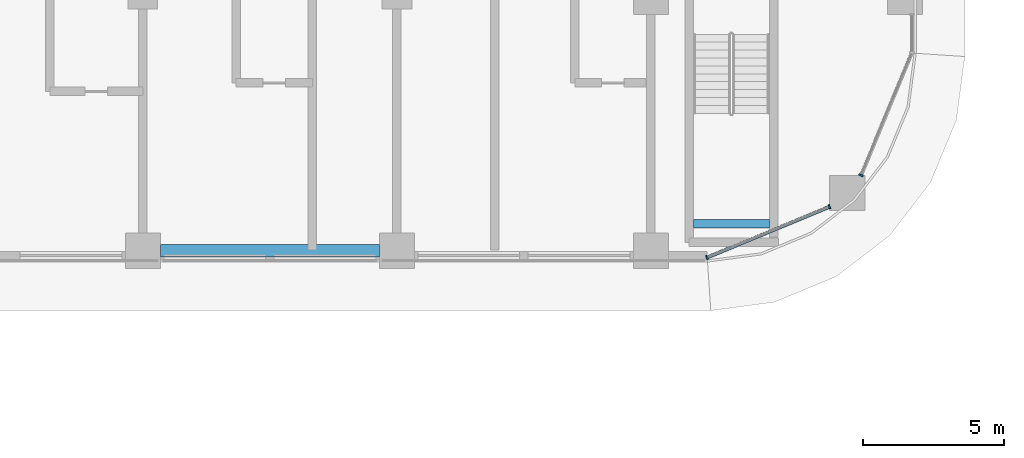
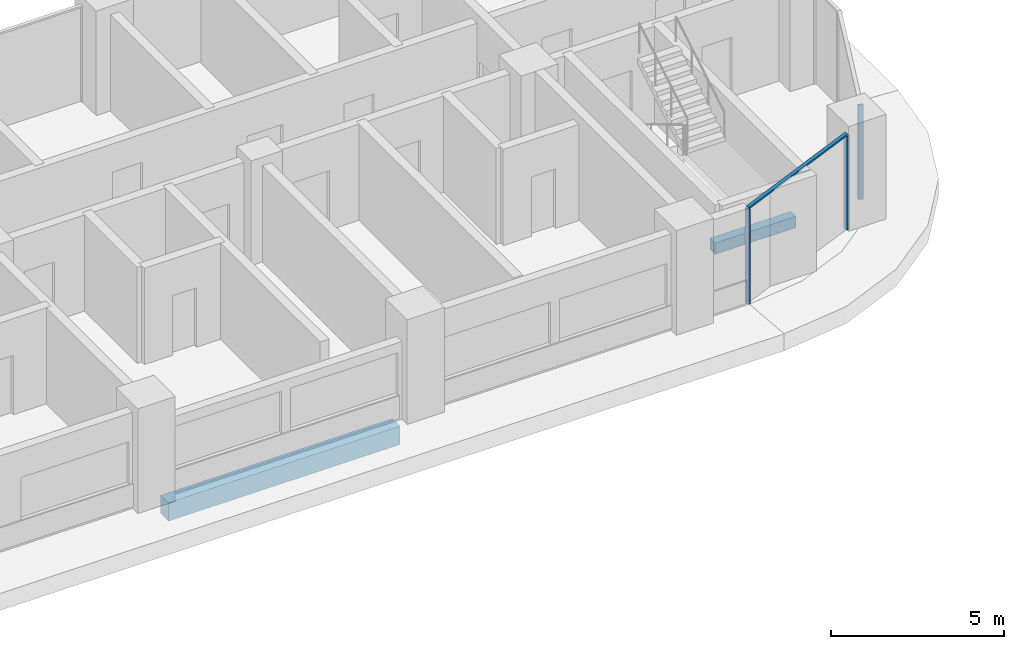
# One storey, part 3 of 33: 4 members, 2 beams, 2 elements without a shape of their own.
"""IFC4 building model written with IfcOpenShell, lengths in metres."""

from ifc_helpers import new_model, si_unit, direction, frame, origin, origin_2d, place, context, subcontext, project, spatial, rectangle, extrude, material, material_profile, profile_set, type_object, element, aggregate, save


model = new_model("IFC4")

# Units and contexts
model_context = context("Model", 3, precision=1e-05, world=origin(), true_north=direction((0.0, 1.0)))
body_context = subcontext(model_context, "Body", "Model", "MODEL_VIEW")
ifc_project = project(units=[si_unit("LENGTHUNIT", "METRE"), si_unit("AREAUNIT", "SQUARE_METRE"), si_unit("VOLUMEUNIT", "CUBIC_METRE"), si_unit("PLANEANGLEUNIT", "RADIAN"), si_unit("MASSUNIT", "GRAM", prefix="KILO")], contexts=[model_context])

# Site, building, storey
site_placement = place(None, origin())
site = spatial("IfcSite", under=ifc_project, at=site_placement, CompositionType="ELEMENT")
building_placement = place(site_placement, origin())
building = spatial("IfcBuilding", under=site, at=building_placement, Name="Ogive Portal Towers", CompositionType="ELEMENT")
storey_placement = place(building_placement, frame((0.0, 0.0, 98.199951171875)))
storey = spatial("IfcBuildingStorey", under=building, at=storey_placement, Name="L23", CompositionType="ELEMENT", Elevation=98.199951171875)

# Beam
ifc_material_1 = material(Name="Concrete C40/50", Category="concrete")
ifc_material_profile_1 = material_profile(ifc_material_1, rectangle(XDim=0.300048828125, YDim=0.39990234375, at=origin_2d()), Name="RC 300x400")
ifc_profile_set_1 = profile_set([ifc_material_profile_1], Name="Concrete C40/50")
beam_type_1 = type_object("IfcBeamType", Name="BEAM RC 300x400", PredefinedType="BEAM", material=ifc_profile_set_1)
beam_1_placement = place(storey_placement, frame((87.0, 22.449951171875, 1.449951171875), z_axis=(1.0, 0.0, 0.0), x_axis=(0.0, 1.0, 0.0)))
element("IfcBeam", 1, at=beam_1_placement, inside=storey, type_object=beam_type_1, Name="Landing beam L23", PredefinedType="BEAM", context=body_context, shape_type="SweptSolid", body=[
    extrude(rectangle(XDim=0.300048828125, YDim=0.39990234375, at=origin_2d()), origin(), (0.0, 0.0, 1.0), 2.699951171875),
])

# Curtain wall, members
ifc_material_2 = material(Name="Glass, clear low-iron insulated glazing", Category="glass")
curtain_wall_type = type_object("IfcCurtainWallType", Name="CW FRONT RIBBON 4500", PredefinedType="NOTDEFINED", material=ifc_material_2)
curtain_wall_1_placement = place(storey_placement, origin())
curtain_wall_1 = element("IfcCurtainWall", 2, at=curtain_wall_1_placement, inside=storey, type_object=curtain_wall_type, Name="A:L23:f21:cwa~0", PredefinedType="NOTDEFINED")
ifc_material_3 = material(Name="Aluminium 6063 anodised", Category="aluminium")
ifc_material_profile_2 = material_profile(ifc_material_3, rectangle(XDim=0.159912109375, YDim=0.06005859375, at=origin_2d()), Name="AL 60x160")
ifc_profile_set_2 = profile_set([ifc_material_profile_2], Name="Aluminium 6063 anodised")
member_type_1 = type_object("IfcMemberType", Name="CW MULLION 60x160", PredefinedType="MULLION", material=ifc_profile_set_2)
member_1_placement = place(storey_placement, frame((87.484130859375, 21.260009765625, 0.0), z_axis=(0.0, 0.0, 1.0), x_axis=(-0.382683432365, 0.923879532511, 0.0)))
member_1 = element("IfcMember", 3, at=member_1_placement, type_object=member_type_1, Name="mullion", PredefinedType="MULLION", context=body_context, shape_type="SweptSolid", body=[
    extrude(rectangle(XDim=0.159912109375, YDim=0.06005859375, at=origin_2d()), origin(), (0.0, 0.0, 1.0), 3.340087890625),
])
member_2_placement = place(storey_placement, frame((91.824951171875, 23.05810546875, 0.0), z_axis=(0.0, 0.0, 1.0), x_axis=(-0.382683432365, 0.923879532511, 0.0)))
member_2 = element("IfcMember", 4, at=member_2_placement, type_object=member_type_1, Name="mullion", PredefinedType="MULLION", context=body_context, shape_type="SweptSolid", body=[
    extrude(rectangle(XDim=0.159912109375, YDim=0.06005859375, at=origin_2d()), origin(), (0.0, 0.0, 1.0), 3.340087890625),
])

# Curtain wall, member
curtain_wall_2_placement = place(storey_placement, origin())
curtain_wall_2 = element("IfcCurtainWall", 5, at=curtain_wall_2_placement, inside=storey, type_object=curtain_wall_type, Name="A:L23:f21:cwa~1", PredefinedType="NOTDEFINED")
member_3_placement = place(storey_placement, frame((92.94189453125, 24.175048828125, 0.0), z_axis=(0.0, 0.0, 1.0), x_axis=(-0.923879532511, 0.382683432365, 0.0)))
member_3 = element("IfcMember", 6, at=member_3_placement, type_object=member_type_1, Name="mullion", PredefinedType="MULLION", context=body_context, shape_type="SweptSolid", body=[
    extrude(rectangle(XDim=0.159912109375, YDim=0.06005859375, at=origin_2d()), origin(), (0.0, 0.0, 1.0), 3.340087890625),
])
aggregate(curtain_wall_2, [member_3])

# Member
ifc_material_profile_3 = material_profile(ifc_material_3, rectangle(XDim=0.1201171875, YDim=0.06005859375, at=origin_2d()), Name="AL 120x60")
ifc_profile_set_3 = profile_set([ifc_material_profile_3], Name="Aluminium 6063 anodised")
member_type_2 = type_object("IfcMemberType", Name="CW TRANSOM 60x120", PredefinedType="USERDEFINED", material=ifc_profile_set_3)
member_4_placement = place(storey_placement, frame((87.484130859375, 21.260009765625, 3.3701171875), z_axis=(0.923874335946, 0.382695977742, 0.0), x_axis=(-0.382695977742, 0.923874335946, 0.0)))
member_4 = element("IfcMember", 7, at=member_4_placement, type_object=member_type_2, Name="transom", ObjectType="TRANSOM", PredefinedType="USERDEFINED", context=body_context, shape_type="SweptSolid", body=[
    extrude(rectangle(XDim=0.1201171875, YDim=0.06005859375, at=origin_2d()), origin(), (0.0, 0.0, 1.0), 4.698486328125),
])

aggregate(curtain_wall_1, [member_4, member_1, member_2])

# Beam
ifc_material_4 = material(Name="Concrete C50/60", Category="concrete")
ifc_material_profile_4 = material_profile(ifc_material_4, rectangle(XDim=0.449951171875, YDim=0.64990234375, at=origin_2d()), Name="RC 450x650")
ifc_profile_set_4 = profile_set([ifc_material_profile_4], Name="Concrete C50/60")
beam_type_2 = type_object("IfcBeamType", Name="SPANDREL BEAM RC 450x650", PredefinedType="BEAM", material=ifc_profile_set_4)
beam_2_placement = place(storey_placement, frame((75.875, 21.5, -0.625), z_axis=(-1.0, 0.0, 0.0), x_axis=(0.0, -1.0, 0.0)))
element("IfcBeam", 8, at=beam_2_placement, inside=storey, type_object=beam_type_2, Name="Spandrel beam L23", PredefinedType="BEAM", context=body_context, shape_type="SweptSolid", body=[
    extrude(rectangle(XDim=0.449951171875, YDim=0.64990234375, at=origin_2d()), origin(), (0.0, 0.0, 1.0), 7.75),
])

save(model, "model.ifc")
